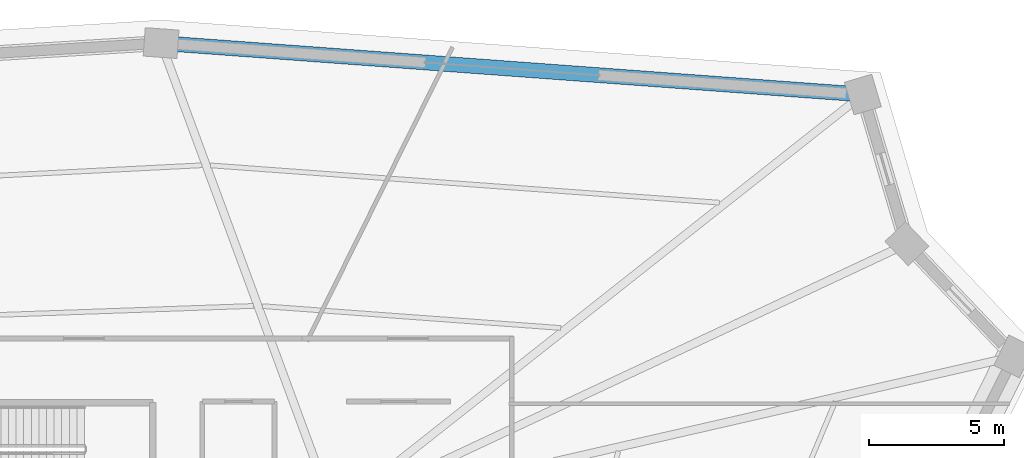
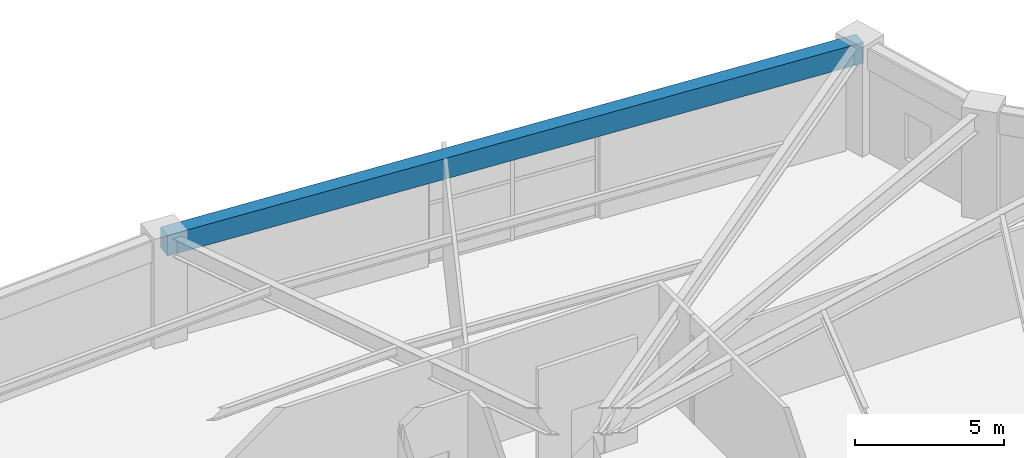
# One storey, part 29 of 39: 1 beam.
"""IFC4 building model written with IfcOpenShell, lengths in metres."""

import ifcopenshell
import ifcopenshell.guid

model = None  # the IFC model being written
_history = None  # IfcOwnerHistory: only IFC2X3 demands one
_inside = {}  # id of a spatial element -> (the spatial element, [elements in it])
_under = {}  # id of a project, library or spatial element -> (it, [spatial elements below it])
_declared = {}  # id of a project -> (the project, [libraries it declares])
_typed = {}  # id of a type object -> (the type object, [elements of that type])
_made_of = {}  # id of a material, layer set ... -> (it, [elements and type objects made of it])


def new_model(schema):
    """Start an empty IFC model of exactly this schema.

    Asked for "IFC4X3", IfcOpenShell would pick the latest addendum, in which some entities
    have other attributes; the version numbers below select the first issue.
    IFC2X3 requires an IfcOwnerHistory on every rooted entity: one is made here for all.
    """
    global model, _history
    if schema == "IFC4X3":
        model = ifcopenshell.file(schema_version=(4, 3, 0, 0))
    else:
        model = ifcopenshell.file(schema=schema)
    _inside.clear()
    _under.clear()
    _declared.clear()
    _typed.clear()
    _made_of.clear()
    _history = None
    if model.schema == "IFC2X3":
        org = make("IfcOrganization", Name="unknown")
        user = make(
            "IfcPersonAndOrganization",
            ThePerson=make("IfcPerson", FamilyName="unknown"),
            TheOrganization=org,
        )
        app = make(
            "IfcApplication",
            ApplicationDeveloper=org,
            Version="unknown",
            ApplicationFullName="unknown",
            ApplicationIdentifier="unknown",
        )
        _history = make(
            "IfcOwnerHistory",
            OwningUser=user,
            OwningApplication=app,
            ChangeAction="ADDED",
            CreationDate=0,
        )
    return model


def make(cls, **values):
    """One entity of the class cls with the attributes given. An attribute that is None is left unset."""
    return model.create_entity(
        cls, **{name: value for name, value in values.items() if value is not None}
    )


def rooted(cls, **values):
    """An entity with a GlobalId (a new one), such as an element, a storey or a relation."""
    return make(cls, GlobalId=ifcopenshell.guid.new(), OwnerHistory=_history, **values)


def si_unit(unit_type, name, prefix=None):
    """IfcSIUnit, for example si_unit("LENGTHUNIT", "METRE", prefix="MILLI")."""
    return make("IfcSIUnit", UnitType=unit_type, Prefix=prefix, Name=name)


def assignment(units):
    """IfcUnitAssignment: the units of a project."""
    return None if units is None else make("IfcUnitAssignment", Units=units)


def point(xyz):
    """IfcCartesianPoint."""
    return None if xyz is None else make("IfcCartesianPoint", Coordinates=xyz)


def direction(xyz):
    """IfcDirection."""
    return None if xyz is None else make("IfcDirection", DirectionRatios=xyz)


def frame(location, z_axis=None, x_axis=None):
    """IfcAxis2Placement3D, a coordinate frame: its origin and axes. An axis left out is left unset."""
    return make(
        "IfcAxis2Placement3D",
        Location=point(location),
        Axis=direction(z_axis),
        RefDirection=direction(x_axis),
    )


def frame_2d(location, x_axis=None):
    """IfcAxis2Placement2D, a coordinate frame in the plane: its origin and x axis."""
    return make(
        "IfcAxis2Placement2D", Location=point(location), RefDirection=direction(x_axis)
    )


def origin():
    """The frame at (0, 0, 0) with its axes left unset."""
    return frame((0.0, 0.0, 0.0))


def origin_2d():
    """The frame at (0, 0) in the plane with its x axis left unset."""
    return frame_2d((0.0, 0.0))


def place(relative_to, where):
    """IfcLocalPlacement: puts the frame where relative to a parent placement (None: the world)."""
    return make(
        "IfcLocalPlacement", PlacementRelTo=relative_to, RelativePlacement=where
    )


def context(
    kind, dimensions, precision=None, world=None, true_north=None, identifier=None
):
    """IfcGeometricRepresentationContext, for example the 3D "Model" context."""
    return make(
        "IfcGeometricRepresentationContext",
        ContextIdentifier=identifier,
        ContextType=kind,
        CoordinateSpaceDimension=dimensions,
        Precision=precision,
        WorldCoordinateSystem=world,
        TrueNorth=true_north,
    )


def subcontext(parent, identifier, kind, view, scale=None):
    """IfcGeometricRepresentationSubContext, for example "Body" below "Model"."""
    return make(
        "IfcGeometricRepresentationSubContext",
        ContextIdentifier=identifier,
        ContextType=kind,
        ParentContext=parent,
        TargetScale=scale,
        TargetView=view,
    )


def project(units=None, contexts=None):
    """IfcProject with its units and contexts."""
    return rooted(
        "IfcProject",
        Name="project",
        RepresentationContexts=contexts,
        UnitsInContext=assignment(units),
    )


def spatial(cls, under=None, at=None, **own):
    """A site, building, storey or space (cls), placed at a placement, below another one or the project."""
    s = rooted(cls, ObjectPlacement=at, **own)
    if under is not None:
        _under.setdefault(under.id(), (under, []))[1].append(s)
    return s


def profile(cls, at=None, kind="AREA", **sizes):
    """A parametric profile (cls). Its sizes go by their IFC names, for example OverallWidth=200.0."""
    return make(cls, ProfileType=kind, Position=at, **sizes)


def rectangle(**sizes):
    """IfcRectangleProfileDef."""
    return profile("IfcRectangleProfileDef", **sizes)


def extrude(swept, where, along, depth):
    """IfcExtrudedAreaSolid: the profile swept, set in the frame where, extruded along a direction by depth."""
    return make(
        "IfcExtrudedAreaSolid",
        SweptArea=swept,
        Position=where,
        ExtrudedDirection=direction(along),
        Depth=depth,
    )


def shape(context_of_items, identifier, shape_type, items):
    """IfcShapeRepresentation: the items that make up one representation, for example the "Body"."""
    return make(
        "IfcShapeRepresentation",
        ContextOfItems=context_of_items,
        RepresentationIdentifier=identifier,
        RepresentationType=shape_type,
        Items=items,
    )


def source(mapping_origin, context_of_items, identifier, shape_type, items):
    """IfcRepresentationMap: a shape defined once, which mapped items show again and again."""
    return make(
        "IfcRepresentationMap",
        MappingOrigin=mapping_origin,
        MappedRepresentation=shape(context_of_items, identifier, shape_type, items),
    )


def transform(
    local_origin,
    x_axis=None,
    y_axis=None,
    z_axis=None,
    scale=None,
    scale2=None,
    scale3=None,
    uniform=True,
):
    """IfcCartesianTransformationOperator3D, or its non-uniform kind. x_axis, y_axis, z_axis: its Axis1, 2, 3."""
    if uniform:
        return make(
            "IfcCartesianTransformationOperator3D",
            Axis1=direction(x_axis),
            Axis2=direction(y_axis),
            LocalOrigin=point(local_origin),
            Scale=scale,
            Axis3=direction(z_axis),
        )
    return make(
        "IfcCartesianTransformationOperator3DnonUniform",
        Axis1=direction(x_axis),
        Axis2=direction(y_axis),
        LocalOrigin=point(local_origin),
        Scale=scale,
        Axis3=direction(z_axis),
        Scale2=scale2,
        Scale3=scale3,
    )


def mapped(mapping_source, mapping_target):
    """IfcMappedItem: shows the shape of a source again, moved by a transform."""
    return make(
        "IfcMappedItem", MappingSource=mapping_source, MappingTarget=mapping_target
    )


def material(Name=None, Category=None):
    """IfcMaterial."""
    return make("IfcMaterial", Name=Name, Category=Category)


def material_profile(
    of_material, cross_section, Name=None, Category=None, Priority=None
):
    """IfcMaterialProfile: a cross section and its material."""
    return make(
        "IfcMaterialProfile",
        Name=Name,
        Material=of_material,
        Profile=cross_section,
        Priority=Priority,
        Category=Category,
    )


def profile_set(profiles, Name=None, composite=None):
    """IfcMaterialProfileSet."""
    return make(
        "IfcMaterialProfileSet",
        Name=Name,
        MaterialProfiles=profiles,
        CompositeProfile=composite,
    )


def made_of(thing, what):
    """Note that an element or type object is made of a material, layer set ...; save() writes the relation."""
    if what is not None:
        _made_of.setdefault(what.id(), (what, []))[1].append(thing)
    return thing


def type_object(cls, material=None, **own):
    """A type object (cls), such as IfcWallType, which elements share."""
    return made_of(rooted(cls, **own), material)


def element(
    cls,
    number,
    at=None,
    inside=None,
    cuts=None,
    type_object=None,
    material=None,
    context=None,
    identifier="Body",
    shape_type=None,
    held_by="IfcProductDefinitionShape",
    body=None,
    shapes=None,
    **own,
):
    """One element of the class cls, such as IfcWall. Its Tag is "e" and its number.

    at: its placement. inside: the storey or other place that contains it. cuts: it is an
    opening in that element (IfcRelVoidsElement). A single representation is given by context,
    identifier, shape_type and body (its items); several are given by shapes. held_by: the class
    of the entity that holds the representations. save() writes the other relations.
    """
    e = rooted(cls, Tag="e%d" % number, ObjectPlacement=at, **own)
    if body is not None:
        shapes = [shape(context, identifier, shape_type, body)]
    if shapes is not None:
        e.Representation = make(held_by, Representations=shapes)
    if inside is not None:
        _inside.setdefault(inside.id(), (inside, []))[1].append(e)
    if cuts is not None:
        rooted(
            "IfcRelVoidsElement", RelatingBuildingElement=cuts, RelatedOpeningElement=e
        )
    if type_object is not None:
        _typed.setdefault(type_object.id(), (type_object, []))[1].append(e)
    return made_of(e, material)


def aggregate(whole, parts):
    """IfcRelAggregates: a whole, such as a stair, and the parts it consists of."""
    return rooted("IfcRelAggregates", RelatingObject=whole, RelatedObjects=parts)


def save(model, path):
    """Write the relations noted so far, then the file.

    IfcRelAggregates (storeys below a building ...), IfcRelContainedInSpatialStructure (elements
    in a storey), IfcRelDefinesByType, IfcRelAssociatesMaterial and IfcRelDeclares: one each for
    every whole, place, type object, material and project.
    """
    for whole, parts in _under.values():
        aggregate(whole, parts)
    for where, things in _inside.values():
        rooted(
            "IfcRelContainedInSpatialStructure",
            RelatedElements=things,
            RelatingStructure=where,
        )
    for kind, things in _typed.values():
        rooted("IfcRelDefinesByType", RelatedObjects=things, RelatingType=kind)
    for what, things in _made_of.values():
        rooted("IfcRelAssociatesMaterial", RelatedObjects=things, RelatingMaterial=what)
    for by, libraries in _declared.values():
        rooted("IfcRelDeclares", RelatingContext=by, RelatedDefinitions=libraries)
    model.write(path)


model = new_model("IFC4")

# Units and contexts
model_context = context("Model", 3, precision=1e-05, world=origin(), true_north=direction((0.0, 1.0)))
body_context = subcontext(model_context, "Body", "Model", "MODEL_VIEW")
ifc_project = project(units=[si_unit("LENGTHUNIT", "METRE"), si_unit("AREAUNIT", "SQUARE_METRE"), si_unit("VOLUMEUNIT", "CUBIC_METRE"), si_unit("PLANEANGLEUNIT", "RADIAN"), si_unit("MASSUNIT", "GRAM", prefix="KILO")], contexts=[model_context])

# Site, building, storey
site_placement = place(None, origin())
site = spatial("IfcSite", under=ifc_project, at=site_placement, CompositionType="ELEMENT")
building_placement = place(site_placement, origin())
building = spatial("IfcBuilding", under=site, at=building_placement, Name="Liaohun Quay Tower", CompositionType="ELEMENT")
storey_placement = place(building_placement, frame((0.0, 0.0, 189.75)))
storey = spatial("IfcBuildingStorey", under=building, at=storey_placement, Name="L49", CompositionType="ELEMENT", Elevation=189.75)

# Beam
ifc_material = material(Name="Precast concrete C50", Category="concrete")
ifc_material_profile = material_profile(ifc_material, rectangle(XDim=0.550048828125, YDim=0.85009765625, at=origin_2d()), Name="RC550x850")
ifc_profile_set = profile_set([ifc_material_profile], Name="Precast concrete C50")
beam_type = type_object("IfcBeamType", Name="BM-SPD-Z3", PredefinedType="SPANDREL", material=ifc_profile_set)
shared_shape = source(origin(), body_context, "Body", "SweptSolid", [
    extrude(rectangle(XDim=0.550048828125, YDim=0.85009765625, at=origin_2d()), origin(), (0.0, 0.0, 1.0), 25.968505859375),
])
beam_placement = place(storey_placement, frame((62.6201171875, 78.81201171875, 3.89501953125), z_axis=(0.997322831319, -0.073124347033, 0.0), x_axis=(0.073124347033, 0.997322831319, 0.0)))
element("IfcBeam", 1, at=beam_placement, inside=storey, type_object=beam_type, Name="L49 Precast Spandrel Beam PC06-PC07", PredefinedType="SPANDREL", context=body_context, shape_type="MappedRepresentation", body=[
    mapped(shared_shape, transform((0.0, 0.0, 0.0), x_axis=(1.0, 0.0, 0.0), y_axis=(0.0, 1.0, 0.0), z_axis=(0.0, 0.0, 1.0), scale=1.0)),
])

save(model, "model.ifc")
